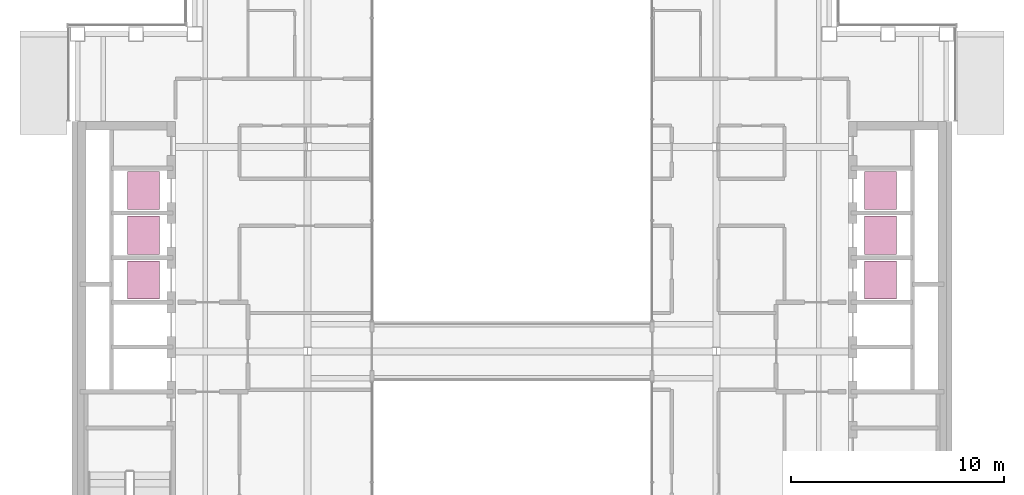
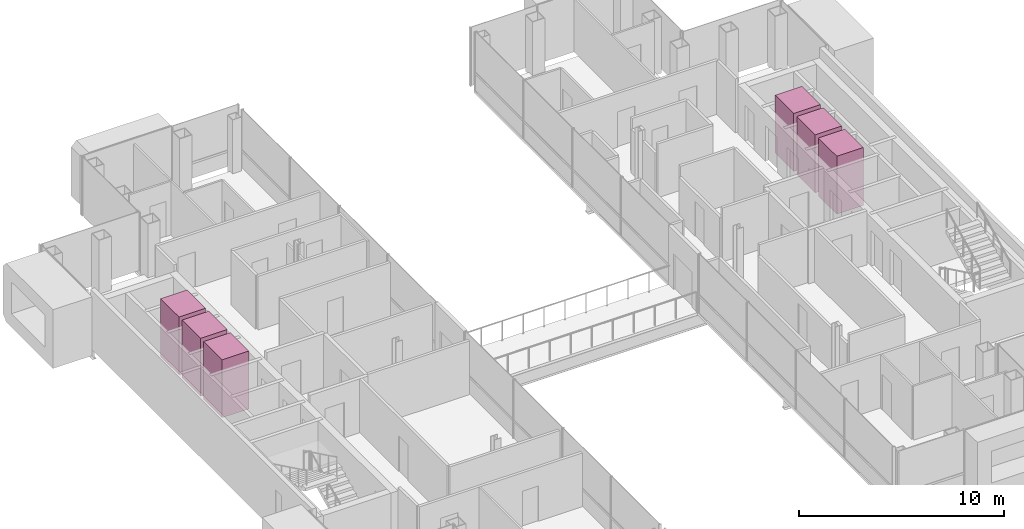
# One storey, part 17 of 17: 6 transport elements.
"""IFC4 building model written with IfcOpenShell, lengths in metres."""

import ifcopenshell
import ifcopenshell.guid

model = None  # the IFC model being written
_history = None  # IfcOwnerHistory: only IFC2X3 demands one
_inside = {}  # id of a spatial element -> (the spatial element, [elements in it])
_under = {}  # id of a project, library or spatial element -> (it, [spatial elements below it])
_declared = {}  # id of a project -> (the project, [libraries it declares])
_typed = {}  # id of a type object -> (the type object, [elements of that type])
_made_of = {}  # id of a material, layer set ... -> (it, [elements and type objects made of it])


def new_model(schema):
    """Start an empty IFC model of exactly this schema.

    Asked for "IFC4X3", IfcOpenShell would pick the latest addendum, in which some entities
    have other attributes; the version numbers below select the first issue.
    IFC2X3 requires an IfcOwnerHistory on every rooted entity: one is made here for all.
    """
    global model, _history
    if schema == "IFC4X3":
        model = ifcopenshell.file(schema_version=(4, 3, 0, 0))
    else:
        model = ifcopenshell.file(schema=schema)
    _inside.clear()
    _under.clear()
    _declared.clear()
    _typed.clear()
    _made_of.clear()
    _history = None
    if model.schema == "IFC2X3":
        org = make("IfcOrganization", Name="unknown")
        user = make(
            "IfcPersonAndOrganization",
            ThePerson=make("IfcPerson", FamilyName="unknown"),
            TheOrganization=org,
        )
        app = make(
            "IfcApplication",
            ApplicationDeveloper=org,
            Version="unknown",
            ApplicationFullName="unknown",
            ApplicationIdentifier="unknown",
        )
        _history = make(
            "IfcOwnerHistory",
            OwningUser=user,
            OwningApplication=app,
            ChangeAction="ADDED",
            CreationDate=0,
        )
    return model


def make(cls, **values):
    """One entity of the class cls with the attributes given. An attribute that is None is left unset."""
    return model.create_entity(
        cls, **{name: value for name, value in values.items() if value is not None}
    )


def rooted(cls, **values):
    """An entity with a GlobalId (a new one), such as an element, a storey or a relation."""
    return make(cls, GlobalId=ifcopenshell.guid.new(), OwnerHistory=_history, **values)


def si_unit(unit_type, name, prefix=None):
    """IfcSIUnit, for example si_unit("LENGTHUNIT", "METRE", prefix="MILLI")."""
    return make("IfcSIUnit", UnitType=unit_type, Prefix=prefix, Name=name)


def assignment(units):
    """IfcUnitAssignment: the units of a project."""
    return None if units is None else make("IfcUnitAssignment", Units=units)


def point(xyz):
    """IfcCartesianPoint."""
    return None if xyz is None else make("IfcCartesianPoint", Coordinates=xyz)


def direction(xyz):
    """IfcDirection."""
    return None if xyz is None else make("IfcDirection", DirectionRatios=xyz)


def frame(location, z_axis=None, x_axis=None):
    """IfcAxis2Placement3D, a coordinate frame: its origin and axes. An axis left out is left unset."""
    return make(
        "IfcAxis2Placement3D",
        Location=point(location),
        Axis=direction(z_axis),
        RefDirection=direction(x_axis),
    )


def frame_2d(location, x_axis=None):
    """IfcAxis2Placement2D, a coordinate frame in the plane: its origin and x axis."""
    return make(
        "IfcAxis2Placement2D", Location=point(location), RefDirection=direction(x_axis)
    )


def origin():
    """The frame at (0, 0, 0) with its axes left unset."""
    return frame((0.0, 0.0, 0.0))


def origin_2d():
    """The frame at (0, 0) in the plane with its x axis left unset."""
    return frame_2d((0.0, 0.0))


def place(relative_to, where):
    """IfcLocalPlacement: puts the frame where relative to a parent placement (None: the world)."""
    return make(
        "IfcLocalPlacement", PlacementRelTo=relative_to, RelativePlacement=where
    )


def context(
    kind, dimensions, precision=None, world=None, true_north=None, identifier=None
):
    """IfcGeometricRepresentationContext, for example the 3D "Model" context."""
    return make(
        "IfcGeometricRepresentationContext",
        ContextIdentifier=identifier,
        ContextType=kind,
        CoordinateSpaceDimension=dimensions,
        Precision=precision,
        WorldCoordinateSystem=world,
        TrueNorth=true_north,
    )


def subcontext(parent, identifier, kind, view, scale=None):
    """IfcGeometricRepresentationSubContext, for example "Body" below "Model"."""
    return make(
        "IfcGeometricRepresentationSubContext",
        ContextIdentifier=identifier,
        ContextType=kind,
        ParentContext=parent,
        TargetScale=scale,
        TargetView=view,
    )


def project(units=None, contexts=None):
    """IfcProject with its units and contexts."""
    return rooted(
        "IfcProject",
        Name="project",
        RepresentationContexts=contexts,
        UnitsInContext=assignment(units),
    )


def spatial(cls, under=None, at=None, **own):
    """A site, building, storey or space (cls), placed at a placement, below another one or the project."""
    s = rooted(cls, ObjectPlacement=at, **own)
    if under is not None:
        _under.setdefault(under.id(), (under, []))[1].append(s)
    return s


def profile(cls, at=None, kind="AREA", **sizes):
    """A parametric profile (cls). Its sizes go by their IFC names, for example OverallWidth=200.0."""
    return make(cls, ProfileType=kind, Position=at, **sizes)


def rectangle(**sizes):
    """IfcRectangleProfileDef."""
    return profile("IfcRectangleProfileDef", **sizes)


def extrude(swept, where, along, depth):
    """IfcExtrudedAreaSolid: the profile swept, set in the frame where, extruded along a direction by depth."""
    return make(
        "IfcExtrudedAreaSolid",
        SweptArea=swept,
        Position=where,
        ExtrudedDirection=direction(along),
        Depth=depth,
    )


def shape(context_of_items, identifier, shape_type, items):
    """IfcShapeRepresentation: the items that make up one representation, for example the "Body"."""
    return make(
        "IfcShapeRepresentation",
        ContextOfItems=context_of_items,
        RepresentationIdentifier=identifier,
        RepresentationType=shape_type,
        Items=items,
    )


def material(Name=None, Category=None):
    """IfcMaterial."""
    return make("IfcMaterial", Name=Name, Category=Category)


def made_of(thing, what):
    """Note that an element or type object is made of a material, layer set ...; save() writes the relation."""
    if what is not None:
        _made_of.setdefault(what.id(), (what, []))[1].append(thing)
    return thing


def type_object(cls, material=None, **own):
    """A type object (cls), such as IfcWallType, which elements share."""
    return made_of(rooted(cls, **own), material)


def element(
    cls,
    number,
    at=None,
    inside=None,
    cuts=None,
    type_object=None,
    material=None,
    context=None,
    identifier="Body",
    shape_type=None,
    held_by="IfcProductDefinitionShape",
    body=None,
    shapes=None,
    **own,
):
    """One element of the class cls, such as IfcWall. Its Tag is "e" and its number.

    at: its placement. inside: the storey or other place that contains it. cuts: it is an
    opening in that element (IfcRelVoidsElement). A single representation is given by context,
    identifier, shape_type and body (its items); several are given by shapes. held_by: the class
    of the entity that holds the representations. save() writes the other relations.
    """
    e = rooted(cls, Tag="e%d" % number, ObjectPlacement=at, **own)
    if body is not None:
        shapes = [shape(context, identifier, shape_type, body)]
    if shapes is not None:
        e.Representation = make(held_by, Representations=shapes)
    if inside is not None:
        _inside.setdefault(inside.id(), (inside, []))[1].append(e)
    if cuts is not None:
        rooted(
            "IfcRelVoidsElement", RelatingBuildingElement=cuts, RelatedOpeningElement=e
        )
    if type_object is not None:
        _typed.setdefault(type_object.id(), (type_object, []))[1].append(e)
    return made_of(e, material)


def aggregate(whole, parts):
    """IfcRelAggregates: a whole, such as a stair, and the parts it consists of."""
    return rooted("IfcRelAggregates", RelatingObject=whole, RelatedObjects=parts)


def save(model, path):
    """Write the relations noted so far, then the file.

    IfcRelAggregates (storeys below a building ...), IfcRelContainedInSpatialStructure (elements
    in a storey), IfcRelDefinesByType, IfcRelAssociatesMaterial and IfcRelDeclares: one each for
    every whole, place, type object, material and project.
    """
    for whole, parts in _under.values():
        aggregate(whole, parts)
    for where, things in _inside.values():
        rooted(
            "IfcRelContainedInSpatialStructure",
            RelatedElements=things,
            RelatingStructure=where,
        )
    for kind, things in _typed.values():
        rooted("IfcRelDefinesByType", RelatedObjects=things, RelatingType=kind)
    for what, things in _made_of.values():
        rooted("IfcRelAssociatesMaterial", RelatedObjects=things, RelatingMaterial=what)
    for by, libraries in _declared.values():
        rooted("IfcRelDeclares", RelatingContext=by, RelatedDefinitions=libraries)
    model.write(path)


model = new_model("IFC4")

# Units and contexts
model_context = context("Model", 3, precision=1e-05, world=origin(), true_north=direction((0.0, 1.0)))
body_context = subcontext(model_context, "Body", "Model", "MODEL_VIEW")
ifc_project = project(units=[si_unit("LENGTHUNIT", "METRE"), si_unit("AREAUNIT", "SQUARE_METRE"), si_unit("VOLUMEUNIT", "CUBIC_METRE"), si_unit("PLANEANGLEUNIT", "RADIAN"), si_unit("MASSUNIT", "GRAM", prefix="KILO")], contexts=[model_context])

# Site, building, storey
site_placement = place(None, origin())
site = spatial("IfcSite", under=ifc_project, at=site_placement, CompositionType="ELEMENT")
building_placement = place(site_placement, origin())
building = spatial("IfcBuilding", under=site, at=building_placement, Name="Cobrizo Arcos Hotel Tower", CompositionType="ELEMENT")
storey_placement = place(building_placement, frame((0.0, 0.0, 233.0)))
storey = spatial("IfcBuildingStorey", under=building, at=storey_placement, Name="L61", CompositionType="ELEMENT", Elevation=233.0)

# Transport elements
ifc_material = material(Name="Stainless steel car", Category="steel")
transport_element_type = type_object("IfcTransportElementType", Name="Lift car High 1.8x1.5", PredefinedType="ELEVATOR", material=ifc_material)
for number, where, z_axis, x_axis, name in (
    (1, (-17.300048828125, 3.35009765625, 0.0), (0.0, 0.0, 1.0), (1.0, 0.0, 0.0), "High-rise passenger lift W1"),
    (2, (-17.300048828125, 5.449951171875, 0.0), (0.0, 0.0, 1.0), (1.0, 0.0, 0.0), "High-rise passenger lift W2"),
    (3, (-17.300048828125, 7.550048828125, 0.0), (0.0, 0.0, 1.0), (1.0, 0.0, 0.0), "High-rise passenger lift W3"),
    (4, (17.300048828125, 3.35009765625, 0.0), (0.0, 0.0, 1.0), (1.0, 0.0, 0.0), "High-rise passenger lift E1"),
    (5, (17.300048828125, 5.449951171875, 0.0), (0.0, 0.0, 1.0), (1.0, 0.0, 0.0), "High-rise passenger lift E2"),
    (6, (17.300048828125, 7.550048828125, 0.0), (0.0, 0.0, 1.0), (1.0, 0.0, 0.0), "High-rise passenger lift E3"),
):
    element("IfcTransportElement", number, at=place(storey_placement, frame(where, z_axis=z_axis, x_axis=x_axis)), inside=storey, type_object=transport_element_type, Name=name, PredefinedType="ELEVATOR", context=body_context, shape_type="SweptSolid", body=[
        extrude(rectangle(XDim=1.5, YDim=1.800048828125, at=origin_2d()), origin(), (0.0, 0.0, 1.0), 3.449951171875),
    ])

save(model, "model.ifc")
